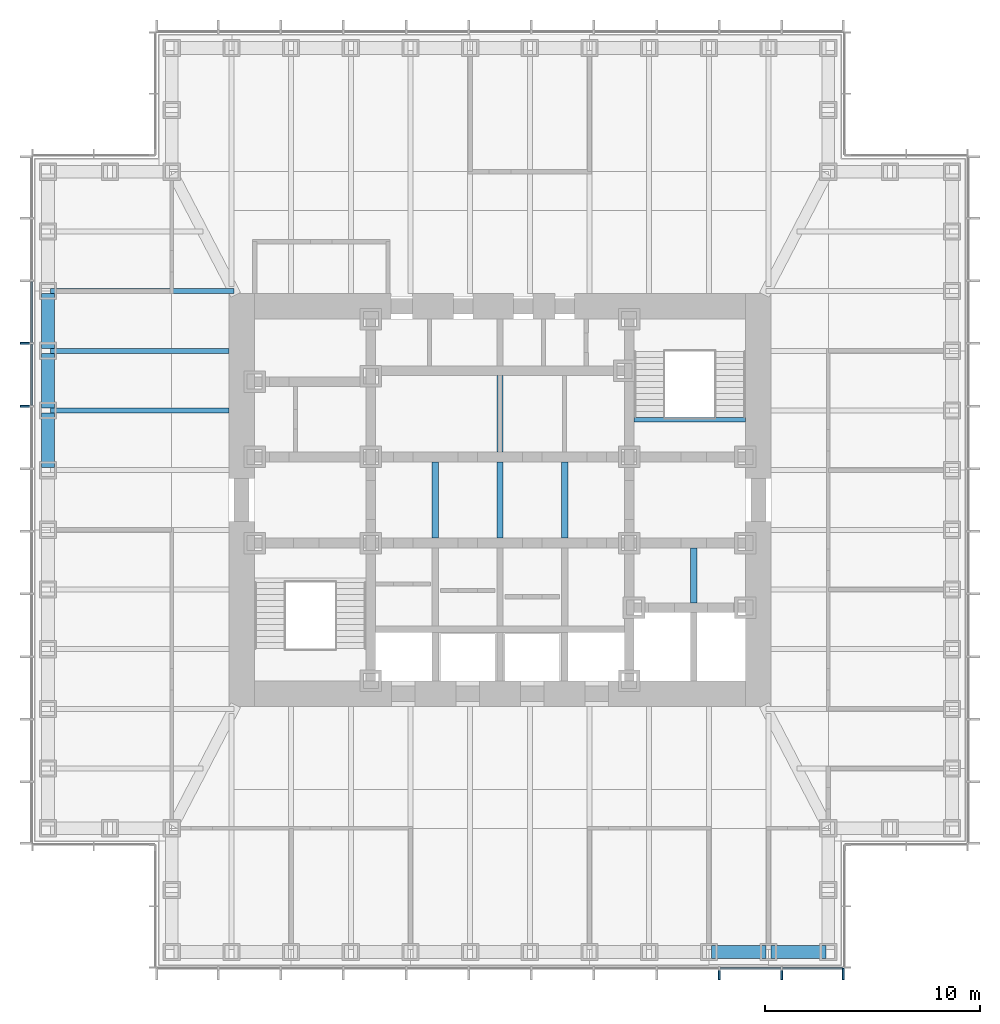
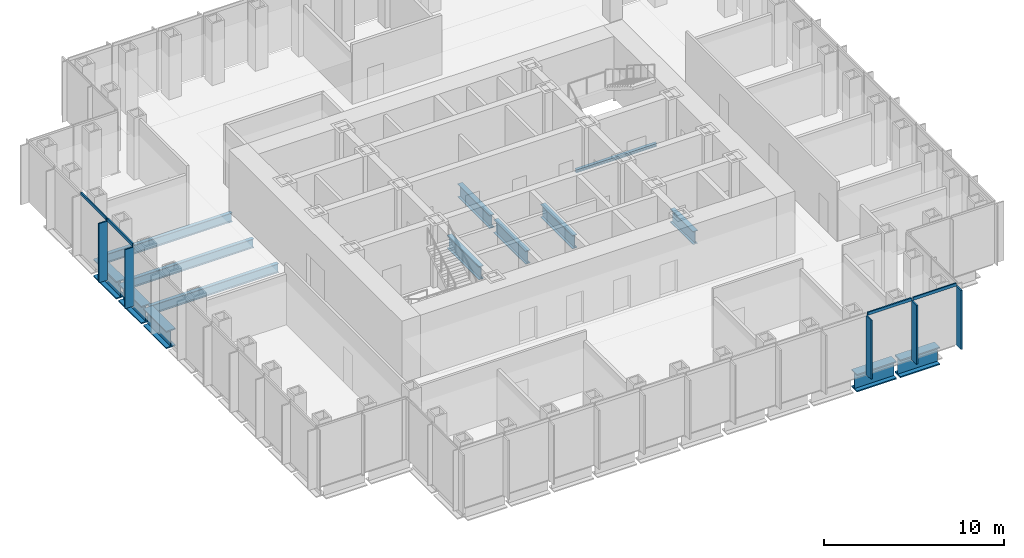
# One storey, part 3 of 16: 14 beams, 9 members, 2 elements without a shape of their own.
"""IFC4 building model written with IfcOpenShell, lengths in metres."""

from ifc_helpers import new_model, si_unit, direction, frame, origin, origin_2d, place, context, subcontext, project, spatial, rectangle, i_section, extrude, material, material_profile, profile_set, type_object, element, aggregate, save


model = new_model("IFC4")

# Units and contexts
model_context = context("Model", 3, precision=1e-05, world=origin(), true_north=direction((0.0, 1.0)))
body_context = subcontext(model_context, "Body", "Model", "MODEL_VIEW")
ifc_project = project(units=[si_unit("LENGTHUNIT", "METRE"), si_unit("AREAUNIT", "SQUARE_METRE"), si_unit("VOLUMEUNIT", "CUBIC_METRE"), si_unit("PLANEANGLEUNIT", "RADIAN"), si_unit("MASSUNIT", "GRAM", prefix="KILO")], contexts=[model_context])

# Site, building, storey
site_placement = place(None, origin())
site = spatial("IfcSite", under=ifc_project, at=site_placement, CompositionType="ELEMENT")
building_placement = place(site_placement, origin())
building = spatial("IfcBuilding", under=site, at=building_placement, Name="Daluyong Arena Tower", CompositionType="ELEMENT")
storey_placement = place(building_placement, frame((0.0, 0.0, 267.10009765625)))
storey = spatial("IfcBuildingStorey", under=building, at=storey_placement, Name="L60", CompositionType="ELEMENT", Elevation=267.10009765625)

# Curtain wall, members
ifc_material_1 = material(Name="Bronze anodised aluminium and glass", Category="aluminium")
curtain_wall_type = type_object("IfcCurtainWallType", Name="Curtain wall CW4", PredefinedType="USERDEFINED", material=ifc_material_1)
curtain_wall_1_placement = place(storey_placement, origin())
curtain_wall_1 = element("IfcCurtainWall", 1, at=curtain_wall_1_placement, inside=storey, type_object=curtain_wall_type, Name="curtain wall L60 S", ObjectType="UNITISED CURTAIN WALL", PredefinedType="USERDEFINED")
ifc_material_2 = material(Name="Bronze anodised aluminium fin", Category="aluminium")
ifc_material_profile_1 = material_profile(ifc_material_2, rectangle(XDim=0.550048828125, YDim=0.090087890625, at=origin_2d()))
ifc_profile_set_1 = profile_set([ifc_material_profile_1], Name="Bronze anodised aluminium fin")
member_type_1 = type_object("IfcMemberType", Name="CW4 bronze fin 550x90", PredefinedType="MULLION", material=ifc_profile_set_1)
member_1_placement = place(storey_placement, frame((66.181884765625, 57.97509765625, 0.0), z_axis=(0.0, 0.0, 1.0), x_axis=(0.0, 1.0, 0.0)))
member_1 = element("IfcMember", 2, at=member_1_placement, type_object=member_type_1, Name="curtain wall L60 S fin 10", PredefinedType="MULLION", context=body_context, shape_type="SweptSolid", body=[
    extrude(rectangle(XDim=0.550048828125, YDim=0.090087890625, at=origin_2d()), origin(), (0.0, 0.0, 1.0), 4.0),
])
member_2_placement = place(storey_placement, frame((69.0908203125, 57.97509765625, 0.0), z_axis=(0.0, 0.0, 1.0), x_axis=(0.0, 1.0, 0.0)))
member_2 = element("IfcMember", 3, at=member_2_placement, type_object=member_type_1, Name="curtain wall L60 S fin 11", PredefinedType="MULLION", context=body_context, shape_type="SweptSolid", body=[
    extrude(rectangle(XDim=0.550048828125, YDim=0.090087890625, at=origin_2d()), origin(), (0.0, 0.0, 1.0), 4.0),
])
member_3_placement = place(storey_placement, frame((71.955078125, 57.97509765625, 0.0), z_axis=(0.0, 0.0, 1.0), x_axis=(0.0, 1.0, 0.0)))
member_3 = element("IfcMember", 4, at=member_3_placement, type_object=member_type_1, Name="curtain wall L60 S fin 12", PredefinedType="MULLION", context=body_context, shape_type="SweptSolid", body=[
    extrude(rectangle(XDim=0.550048828125, YDim=0.090087890625, at=origin_2d()), origin(), (0.0, 0.0, 1.0), 4.0),
])

curtain_wall_2_placement = place(storey_placement, origin())
curtain_wall_2 = element("IfcCurtainWall", 5, at=curtain_wall_2_placement, inside=storey, type_object=curtain_wall_type, Name="curtain wall L60 W", ObjectType="UNITISED CURTAIN WALL", PredefinedType="USERDEFINED")
member_4_placement = place(storey_placement, frame((33.97509765625, 87.272705078125, 0.0), z_axis=(0.0, 0.0, 1.0), x_axis=(1.0, 0.0, 0.0)))
member_4 = element("IfcMember", 6, at=member_4_placement, type_object=member_type_1, Name="curtain wall L60 W fin 4", PredefinedType="MULLION", context=body_context, shape_type="SweptSolid", body=[
    extrude(rectangle(XDim=0.550048828125, YDim=0.090087890625, at=origin_2d()), origin(), (0.0, 0.0, 1.0), 4.0),
])
member_5_placement = place(storey_placement, frame((33.97509765625, 84.363525390625, 0.0), z_axis=(0.0, 0.0, 1.0), x_axis=(1.0, 0.0, 0.0)))
member_5 = element("IfcMember", 7, at=member_5_placement, type_object=member_type_1, Name="curtain wall L60 W fin 5", PredefinedType="MULLION", context=body_context, shape_type="SweptSolid", body=[
    extrude(rectangle(XDim=0.550048828125, YDim=0.090087890625, at=origin_2d()), origin(), (0.0, 0.0, 1.0), 4.0),
])

# Member
ifc_material_3 = material(Name="Bronze anodised aluminium", Category="aluminium")
ifc_material_profile_2 = material_profile(ifc_material_3, rectangle(XDim=0.090087890625, YDim=0.199951171875, at=origin_2d()))
ifc_profile_set_2 = profile_set([ifc_material_profile_2], Name="Bronze anodised aluminium")
member_type_2 = type_object("IfcMemberType", Name="CW4 stack transom 200x90", PredefinedType="USERDEFINED", material=ifc_profile_set_2)
member_6_placement = place(storey_placement, frame((66.226806640625, 58.25, 4.099853515625), z_axis=(1.0, 0.0, 0.0), x_axis=(0.0, 1.0, 0.0)))
member_6 = element("IfcMember", 8, at=member_6_placement, type_object=member_type_2, Name="curtain wall L60 S transom 10", ObjectType="TRANSOM", PredefinedType="USERDEFINED", context=body_context, shape_type="SweptSolid", body=[
    extrude(rectangle(XDim=0.090087890625, YDim=0.199951171875, at=origin_2d()), origin(), (0.0, 0.0, 1.0), 2.819091796875),
])

member_7_placement = place(storey_placement, frame((69.135986328125, 58.25, 4.099853515625), z_axis=(1.0, 0.0, 0.0), x_axis=(0.0, 1.0, 0.0)))
member_7 = element("IfcMember", 9, at=member_7_placement, type_object=member_type_2, Name="curtain wall L60 S transom 11", ObjectType="TRANSOM", PredefinedType="USERDEFINED", context=body_context, shape_type="SweptSolid", body=[
    extrude(rectangle(XDim=0.090087890625, YDim=0.199951171875, at=origin_2d()), origin(), (0.0, 0.0, 1.0), 2.77392578125),
])

aggregate(curtain_wall_1, [member_1, member_2, member_3, member_6, member_7])

member_8_placement = place(storey_placement, frame((34.25, 90.13671875, 4.099853515625), z_axis=(0.0, -1.0, 0.0), x_axis=(1.0, 0.0, 0.0)))
member_8 = element("IfcMember", 10, at=member_8_placement, type_object=member_type_2, Name="curtain wall L60 W transom 3", ObjectType="TRANSOM", PredefinedType="USERDEFINED", context=body_context, shape_type="SweptSolid", body=[
    extrude(rectangle(XDim=0.090087890625, YDim=0.199951171875, at=origin_2d()), origin(), (0.0, 0.0, 1.0), 2.819091796875),
])

member_9_placement = place(storey_placement, frame((34.25, 87.227783203125, 4.099853515625), z_axis=(0.0, -1.0, 0.0), x_axis=(1.0, 0.0, 0.0)))
member_9 = element("IfcMember", 11, at=member_9_placement, type_object=member_type_2, Name="curtain wall L60 W transom 4", ObjectType="TRANSOM", PredefinedType="USERDEFINED", context=body_context, shape_type="SweptSolid", body=[
    extrude(rectangle(XDim=0.090087890625, YDim=0.199951171875, at=origin_2d()), origin(), (0.0, 0.0, 1.0), 2.819091796875),
])

aggregate(curtain_wall_2, [member_4, member_5, member_8, member_9])

# Beams
ifc_material_4 = material(Name="Steel ASTM A992 Grade 50", Category="steel")
ifc_material_profile_3 = material_profile(ifc_material_4, i_section(OverallWidth=0.22900390625, OverallDepth=0.612060546875, WebThickness=0.011962890625, FlangeThickness=0.01953125, at=origin_2d()))
ifc_profile_set_3 = profile_set([ifc_material_profile_3], Name="Steel ASTM A992 Grade 50")
beam_type_1 = type_object("IfcBeamType", Name="Floor beam W24X84", PredefinedType="BEAM", material=ifc_profile_set_3)
beam_1_placement = place(storey_placement, frame((35.114990234375, 89.70458984375, -0.466064453125), z_axis=(1.0, 0.0, 0.0), x_axis=(0.0, 1.0, 0.0)))
element("IfcBeam", 12, at=beam_1_placement, inside=storey, type_object=beam_type_1, Name="floor beam FB3", PredefinedType="BEAM", context=body_context, shape_type="SweptSolid", body=[
    extrude(i_section(OverallWidth=0.22900390625, OverallDepth=0.612060546875, WebThickness=0.011962890625, FlangeThickness=0.01953125, at=origin_2d()), origin(), (0.0, 0.0, 1.0), 8.5185546875),
])
for number, where, z_axis, x_axis, name in (
    (13, (35.114990234375, 86.931884765625, -0.466064453125), (1.0, 0.0, 0.0), (0.0, 1.0, 0.0), "floor beam FB3"),
    (14, (35.114990234375, 84.1591796875, -0.466064453125), (1.0, 0.0, 0.0), (0.0, 1.0, 0.0), "floor beam FB3"),
):
    element("IfcBeam", number, at=place(storey_placement, frame(where, z_axis=z_axis, x_axis=x_axis)), inside=storey, type_object=beam_type_1, Name=name, PredefinedType="BEAM", context=body_context, shape_type="SweptSolid", body=[
        extrude(i_section(OverallWidth=0.22900390625, OverallDepth=0.612060546875, WebThickness=0.011962890625, FlangeThickness=0.01953125, at=origin_2d()), origin(), (0.0, 0.0, 1.0), 8.284912109375),
    ])
ifc_material_5 = material(Name="Steel ASTM A572 Grade 50", Category="steel")
ifc_material_profile_4 = material_profile(ifc_material_5, i_section(OverallWidth=0.300048828125, OverallDepth=0.89990234375, WebThickness=0.025, FlangeThickness=0.04, at=origin_2d()))
ifc_profile_set_4 = profile_set([ifc_material_profile_4], Name="Steel ASTM A572 Grade 50")
beam_type_2 = type_object("IfcBeamType", Name="Lift divider beam PG900X300", PredefinedType="BEAM", material=ifc_profile_set_4)
for number, where, z_axis, x_axis, name in (
    (15, (53.0, 78.22509765625, -0.610107421875), (0.0, 1.0, 0.0), (-1.0, 0.0, 0.0), "lift divider beam DB1"),
    (16, (56.0, 78.22509765625, -0.610107421875), (0.0, 1.0, 0.0), (-1.0, 0.0, 0.0), "lift divider beam DB1"),
    (17, (56.0, 82.22509765625, -0.610107421875), (0.0, 1.0, 0.0), (-1.0, 0.0, 0.0), "lift divider beam DB1"),
    (18, (59.0, 78.22509765625, -0.610107421875), (0.0, 1.0, 0.0), (-1.0, 0.0, 0.0), "lift divider beam DB1"),
):
    element("IfcBeam", number, at=place(storey_placement, frame(where, z_axis=z_axis, x_axis=x_axis)), inside=storey, type_object=beam_type_2, Name=name, PredefinedType="BEAM", context=body_context, shape_type="SweptSolid", body=[
        extrude(i_section(OverallWidth=0.300048828125, OverallDepth=0.89990234375, WebThickness=0.025, FlangeThickness=0.04, at=origin_2d()), origin(), (0.0, 0.0, 1.0), 3.5498046875),
    ])
beam_2_placement = place(storey_placement, frame((65.0, 75.22509765625, -0.610107421875), z_axis=(0.0, 1.0, 0.0), x_axis=(-1.0, 0.0, 0.0)))
element("IfcBeam", 19, at=beam_2_placement, inside=storey, type_object=beam_type_2, Name="lift divider beam DB1", PredefinedType="BEAM", context=body_context, shape_type="SweptSolid", body=[
    extrude(i_section(OverallWidth=0.300048828125, OverallDepth=0.89990234375, WebThickness=0.025, FlangeThickness=0.04, at=origin_2d()), origin(), (0.0, 0.0, 1.0), 2.5498046875),
])
ifc_material_6 = material(Name="Steel ASTM A572 Grade 50", Category="steel")
ifc_material_profile_5 = material_profile(ifc_material_6, i_section(OverallWidth=0.60009765625, OverallDepth=1.199951171875, WebThickness=0.03, FlangeThickness=0.08, at=origin_2d()))
ifc_profile_set_5 = profile_set([ifc_material_profile_5], Name="Steel ASTM A572 Grade 50")
beam_type_3 = type_object("IfcBeamType", Name="Spandrel Z4 PG1200X600", PredefinedType="SPANDREL", material=ifc_profile_set_5)
for number, where, z_axis, x_axis, name in (
    (20, (65.819580078125, 59.0, -0.760009765625), (1.0, 0.0, 0.0), (0.0, 1.0, 0.0), "spandrel z4 SB9"),
    (21, (68.59228515625, 59.0, -0.760009765625), (1.0, 0.0, 0.0), (0.0, 1.0, 0.0), "spandrel z4 SB9"),
    (22, (35.0, 89.589599609375, -0.760009765625), (0.0, -1.0, 0.0), (1.0, 0.0, 0.0), "spandrel z4 SB9"),
    (23, (35.0, 86.81689453125, -0.760009765625), (0.0, -1.0, 0.0), (1.0, 0.0, 0.0), "spandrel z4 SB9"),
    (24, (35.0, 84.044189453125, -0.760009765625), (0.0, -1.0, 0.0), (1.0, 0.0, 0.0), "spandrel z4 SB9"),
):
    element("IfcBeam", number, at=place(storey_placement, frame(where, z_axis=z_axis, x_axis=x_axis)), inside=storey, type_object=beam_type_3, Name=name, PredefinedType="SPANDREL", context=body_context, shape_type="SweptSolid", body=[
        extrude(i_section(OverallWidth=0.60009765625, OverallDepth=1.199951171875, WebThickness=0.03, FlangeThickness=0.08, at=origin_2d()), origin(), (0.0, 0.0, 1.0), 2.542724609375),
    ])
ifc_material_7 = material(Name="Steel ASTM A992 Grade 50", Category="steel")
ifc_material_profile_6 = material_profile(ifc_material_7, i_section(OverallWidth=0.203125, OverallDepth=0.203125, WebThickness=0.00732421875, FlangeThickness=0.010986328125, at=origin_2d()))
ifc_profile_set_6 = profile_set([ifc_material_profile_6], Name="Steel ASTM A992 Grade 50")
beam_type_4 = type_object("IfcBeamType", Name="Stair landing beam W8X31", PredefinedType="BEAM", material=ifc_profile_set_6)
beam_3_placement = place(storey_placement, frame((62.22509765625, 83.723388671875, -0.26171875), z_axis=(1.0, 0.0, 0.0), x_axis=(0.0, 1.0, 0.0)))
element("IfcBeam", 25, at=beam_3_placement, inside=storey, type_object=beam_type_4, Name="exit stair B landing beam", PredefinedType="BEAM", context=body_context, shape_type="SweptSolid", body=[
    extrude(i_section(OverallWidth=0.203125, OverallDepth=0.203125, WebThickness=0.00732421875, FlangeThickness=0.010986328125, at=origin_2d()), origin(), (0.0, 0.0, 1.0), 5.1748046875),
])

save(model, "model.ifc")
